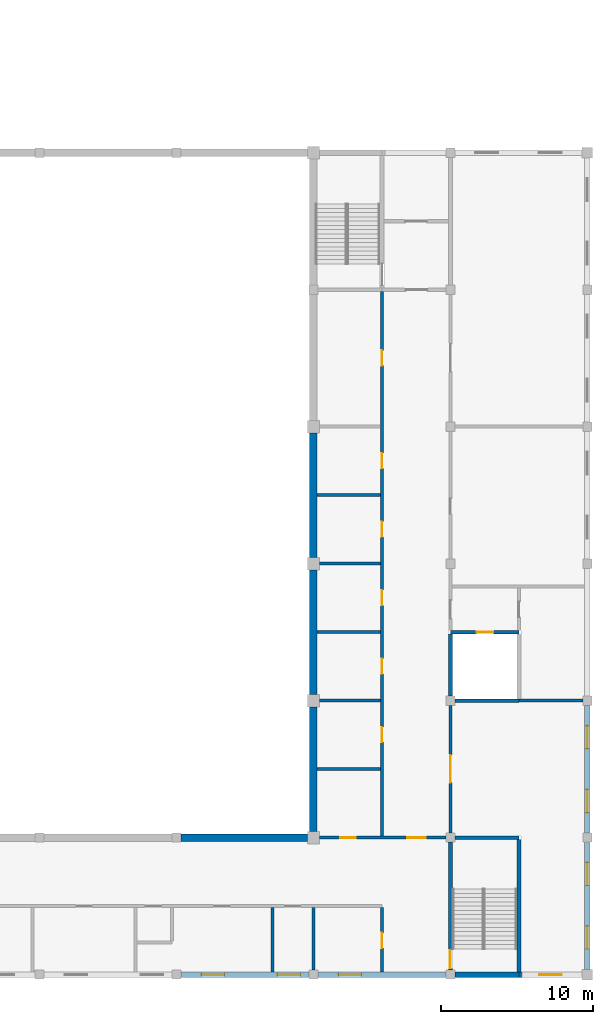
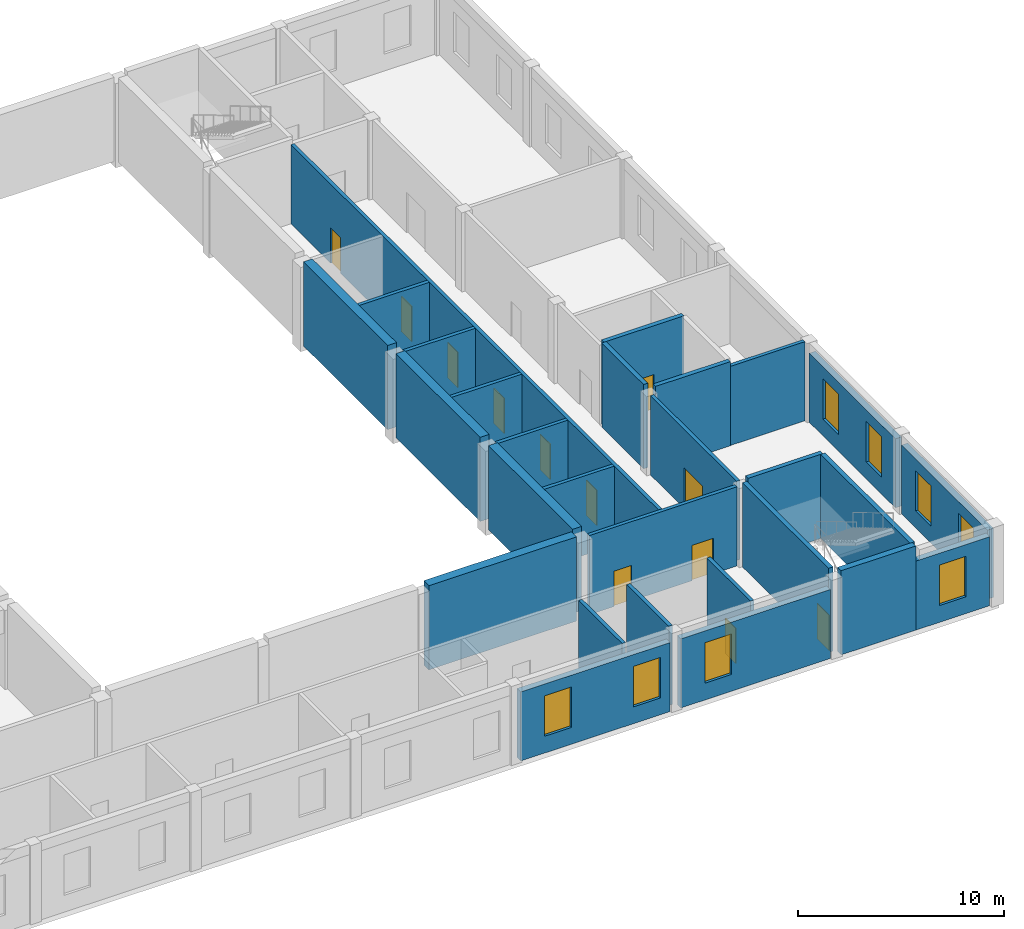
# One storey, part 22 of 30: 28 walls, 12 doors, 8 windows, 20 openings.
"""IFC4 building model written with IfcOpenShell, lengths in metres."""

from ifc_helpers import new_model, si_unit, direction, frame, frame_2d, origin, place, context, subcontext, project, spatial, rectangle, extrude, material, layer, layer_set, type_object, element, fill, save


model = new_model("IFC4")

# Units and contexts
model_context = context("Model", 3, precision=1e-05, world=origin(), true_north=direction((0.0, 1.0)))
body_context = subcontext(model_context, "Body", "Model", "MODEL_VIEW")
ifc_project = project(units=[si_unit("LENGTHUNIT", "METRE"), si_unit("AREAUNIT", "SQUARE_METRE"), si_unit("VOLUMEUNIT", "CUBIC_METRE"), si_unit("PLANEANGLEUNIT", "RADIAN"), si_unit("MASSUNIT", "GRAM", prefix="KILO")], contexts=[model_context])

# Site, building, storey
site_placement = place(None, origin())
site = spatial("IfcSite", under=ifc_project, at=site_placement, CompositionType="ELEMENT")
building_placement = place(site_placement, origin())
building = spatial("IfcBuilding", under=site, at=building_placement, Name="Firuza Court", CompositionType="ELEMENT")
storey_placement = place(building_placement, frame((0.0, 0.0, 9.0)))
storey = spatial("IfcBuildingStorey", under=building, at=storey_placement, Name="L01", CompositionType="ELEMENT", Elevation=9.0)

# Wall, openings, doors
ifc_material_1 = material(Name="Blockwork", Category="masonry")
ifc_layer_1 = layer(ifc_material_1, 0.199951171875)
ifc_layer_set_1 = layer_set([ifc_layer_1], Name="Blockwork")
wall_type_1 = type_object("IfcWallType", Name="HALL PARTITION 200", PredefinedType="STANDARD", material=ifc_layer_set_1)
wall_1_placement = place(storey_placement, frame((135.39990234375, 0.0, 0.0), z_axis=(0.0, 0.0, 1.0), x_axis=(1.0, 0.0, 0.0)))
wall_1 = element("IfcWall", 1, at=wall_1_placement, inside=storey, type_object=wall_type_1, Name="Wall L01.18", PredefinedType="STANDARD", context=body_context, shape_type="SweptSolid", body=[
    extrude(rectangle(XDim=8.300048828125, YDim=0.199951171875, at=frame_2d((4.14990234375, 0.0))), origin(), (0.0, 0.0, 1.0), 4.699951171875),
])
opening_1_placement = place(wall_1_placement, frame((5.77001953125, 0.0, 0.0)))
opening_1 = element("IfcOpeningElement", 2, at=opening_1_placement, cuts=wall_1, Name="Opening H056", PredefinedType="OPENING", context=body_context, shape_type="SweptSolid", body=[
    extrude(rectangle(XDim=1.199951171875, YDim=2.10009765625, at=frame_2d((0.60009765625, 1.050048828125))), frame((0.0, 0.11181640625, 0.0), z_axis=(0.0, -1.0, 0.0), x_axis=(1.0, 0.0, 0.0)), (0.0, 0.0, 1.0), 0.223876953125),
])
opening_2_placement = place(wall_1_placement, frame((1.3701171875, 0.0, 0.0)))
opening_2 = element("IfcOpeningElement", 3, at=opening_2_placement, cuts=wall_1, Name="Opening H075", PredefinedType="OPENING", context=body_context, shape_type="SweptSolid", body=[
    extrude(rectangle(XDim=1.0, YDim=2.10009765625, at=frame_2d((0.5, 1.050048828125))), frame((0.0, 0.11181640625, 0.0), z_axis=(0.0, -1.0, 0.0), x_axis=(1.0, 0.0, 0.0)), (0.0, 0.0, 1.0), 0.223876953125),
])
ifc_material_2 = material(Name="Timber", Category="wood")
door_type_1 = type_object("IfcDoorType", Name="HALL DOOR 1000X2100", OperationType="SINGLE_SWING_LEFT", PredefinedType="DOOR", material=ifc_material_2)
door_1_placement = place(opening_2_placement, origin())
door_1 = element("IfcDoor", 4, at=door_1_placement, inside=storey, type_object=door_type_1, Name="Door Dressing room 1", OperationType="SINGLE_SWING_LEFT", OverallHeight=2.10009765625, OverallWidth=1.0, PredefinedType="DOOR", context=body_context, shape_type="SweptSolid", body=[
    extrude(rectangle(XDim=1.0, YDim=2.10009765625, at=frame_2d((0.5, 1.050048828125))), frame((0.0, 0.02490234375, 0.0), z_axis=(0.0, -1.0, 0.0), x_axis=(1.0, 0.0, 0.0)), (0.0, 0.0, 1.0), 0.050048828125),
])
fill(opening_2, door_1)
ifc_material_3 = material(Name="Timber", Category="wood")
door_type_2 = type_object("IfcDoorType", Name="HALL DOOR 1200X2100", OperationType="SINGLE_SWING_LEFT", PredefinedType="DOOR", material=ifc_material_3)
door_2_placement = place(opening_1_placement, origin())
door_2 = element("IfcDoor", 5, at=door_2_placement, inside=storey, type_object=door_type_2, Name="Door Gallery to Backstage corridor", OperationType="SINGLE_SWING_RIGHT", OverallHeight=2.10009765625, OverallWidth=1.199951171875, PredefinedType="DOOR", context=body_context, shape_type="SweptSolid", body=[
    extrude(rectangle(XDim=1.199951171875, YDim=2.10009765625, at=frame_2d((0.60009765625, 1.050048828125))), frame((0.0, 0.02490234375, 0.0), z_axis=(0.0, -1.0, 0.0), x_axis=(1.0, 0.0, 0.0)), (0.0, 0.0, 1.0), 0.050048828125),
])
fill(opening_1, door_2)

# Walls
wall_2_placement = place(storey_placement, frame((135.25, 4.5, 0.0), z_axis=(0.0, 0.0, 1.0), x_axis=(1.0, 0.0, 0.0)))
element("IfcWall", 6, at=wall_2_placement, inside=storey, type_object=wall_type_1, Name="Wall L01.20", PredefinedType="STANDARD", context=body_context, shape_type="SweptSolid", body=[
    extrude(rectangle(XDim=4.14990234375, YDim=0.199951171875, at=frame_2d((2.074951171875, 0.0))), origin(), (0.0, 0.0, 1.0), 4.699951171875),
])
wall_3_placement = place(storey_placement, frame((135.39990234375, 9.0, 0.0), z_axis=(0.0, 0.0, 1.0), x_axis=(1.0, 0.0, 0.0)))
element("IfcWall", 7, at=wall_3_placement, inside=storey, type_object=wall_type_1, Name="Wall L01.21", PredefinedType="STANDARD", context=body_context, shape_type="SweptSolid", body=[
    extrude(rectangle(XDim=4.0, YDim=0.199951171875, at=frame_2d((2.0, 0.0))), origin(), (0.0, 0.0, 1.0), 4.699951171875),
])
wall_4_placement = place(storey_placement, frame((148.5, 9.0, 0.0), z_axis=(0.0, 0.0, 1.0), x_axis=(1.0, 0.0, 0.0)))
element("IfcWall", 8, at=wall_4_placement, inside=storey, type_object=wall_type_1, Name="Wall L01.23", PredefinedType="STANDARD", context=body_context, shape_type="SweptSolid", body=[
    extrude(rectangle(XDim=4.199951171875, YDim=0.199951171875, at=frame_2d((2.10009765625, 0.0))), origin(), (0.0, 0.0, 1.0), 4.699951171875),
])
wall_5_placement = place(storey_placement, frame((135.25, 13.5, 0.0), z_axis=(0.0, 0.0, 1.0), x_axis=(1.0, 0.0, 0.0)))
element("IfcWall", 9, at=wall_5_placement, inside=storey, type_object=wall_type_1, Name="Wall L01.24", PredefinedType="STANDARD", context=body_context, shape_type="SweptSolid", body=[
    extrude(rectangle(XDim=4.14990234375, YDim=0.199951171875, at=frame_2d((2.074951171875, 0.0))), origin(), (0.0, 0.0, 1.0), 4.699951171875),
])
wall_6_placement = place(storey_placement, frame((135.39990234375, 18.0, 0.0), z_axis=(0.0, 0.0, 1.0), x_axis=(1.0, 0.0, 0.0)))
element("IfcWall", 10, at=wall_6_placement, inside=storey, type_object=wall_type_1, Name="Wall L01.29", PredefinedType="STANDARD", context=body_context, shape_type="SweptSolid", body=[
    extrude(rectangle(XDim=4.0, YDim=0.199951171875, at=frame_2d((2.0, 0.0))), origin(), (0.0, 0.0, 1.0), 4.699951171875),
])
wall_7_placement = place(storey_placement, frame((135.25, 22.5, 0.0), z_axis=(0.0, 0.0, 1.0), x_axis=(1.0, 0.0, 0.0)))
element("IfcWall", 11, at=wall_7_placement, inside=storey, type_object=wall_type_1, Name="Wall L01.30", PredefinedType="STANDARD", context=body_context, shape_type="SweptSolid", body=[
    extrude(rectangle(XDim=4.14990234375, YDim=0.199951171875, at=frame_2d((2.074951171875, 0.0))), origin(), (0.0, 0.0, 1.0), 4.699951171875),
])
wall_8_placement = place(storey_placement, frame((132.300048828125, -8.824951171875, 0.0), z_axis=(0.0, 0.0, 1.0), x_axis=(0.0, 1.0, 0.0)))
element("IfcWall", 12, at=wall_8_placement, inside=storey, type_object=wall_type_1, Name="Wall L01.71", PredefinedType="STANDARD", context=body_context, shape_type="SweptSolid", body=[
    extrude(rectangle(XDim=4.224853515625, YDim=0.199951171875, at=frame_2d((2.1123046875, 0.0))), origin(), (0.0, 0.0, 1.0), 4.699951171875),
])
wall_9_placement = place(storey_placement, frame((135.0, -8.699951171875, 0.0), z_axis=(0.0, 0.0, 1.0), x_axis=(0.0, 1.0, 0.0)))
element("IfcWall", 13, at=wall_9_placement, inside=storey, type_object=wall_type_1, Name="Wall L01.72", PredefinedType="STANDARD", context=body_context, shape_type="SweptSolid", body=[
    extrude(rectangle(XDim=4.099853515625, YDim=0.199951171875, at=frame_2d((2.0498046875, 0.0))), origin(), (0.0, 0.0, 1.0), 4.699951171875),
])

# Wall, opening, door
wall_10_placement = place(storey_placement, frame((139.5, -8.824951171875, 0.0), z_axis=(0.0, 0.0, 1.0), x_axis=(0.0, 1.0, 0.0)))
wall_10 = element("IfcWall", 14, at=wall_10_placement, inside=storey, type_object=wall_type_1, Name="Wall L01.78", PredefinedType="STANDARD", context=body_context, shape_type="SweptSolid", body=[
    extrude(rectangle(XDim=4.224853515625, YDim=0.199951171875, at=frame_2d((2.1123046875, 0.0))), origin(), (0.0, 0.0, 1.0), 4.699951171875),
])
opening_3_placement = place(wall_10_placement, frame((1.570068359375, 0.0, 0.0)))
opening_3 = element("IfcOpeningElement", 15, at=opening_3_placement, cuts=wall_10, Name="Opening H068", PredefinedType="OPENING", context=body_context, shape_type="SweptSolid", body=[
    extrude(rectangle(XDim=1.0, YDim=2.10009765625, at=frame_2d((0.5, 1.050048828125))), frame((0.0, 0.11181640625, 0.0), z_axis=(0.0, -1.0, 0.0), x_axis=(1.0, 0.0, 0.0)), (0.0, 0.0, 1.0), 0.223876953125),
])
door_3_placement = place(opening_3_placement, origin())
door_3 = element("IfcDoor", 16, at=door_3_placement, inside=storey, type_object=door_type_1, Name="Door Music library", OperationType="SINGLE_SWING_LEFT", OverallHeight=2.10009765625, OverallWidth=1.0, PredefinedType="DOOR", context=body_context, shape_type="SweptSolid", body=[
    extrude(rectangle(XDim=1.0, YDim=2.10009765625, at=frame_2d((0.5, 1.050048828125))), frame((0.0, 0.02490234375, 0.0), z_axis=(0.0, -1.0, 0.0), x_axis=(1.0, 0.0, 0.0)), (0.0, 0.0, 1.0), 0.050048828125),
])
fill(opening_3, door_3)

# Wall, openings, doors
wall_11_placement = place(storey_placement, frame((139.5, 0.10009765625, 0.0), z_axis=(0.0, 0.0, 1.0), x_axis=(0.0, 1.0, 0.0)))
wall_11 = element("IfcWall", 17, at=wall_11_placement, inside=storey, type_object=wall_type_1, Name="Wall L01.79", PredefinedType="STANDARD", context=body_context, shape_type="SweptSolid", body=[
    extrude(rectangle(XDim=35.77490234375, YDim=0.199951171875, at=frame_2d((17.887451171875, 0.0))), origin(), (0.0, 0.0, 1.0), 4.699951171875),
])
opening_4_placement = place(wall_11_placement, frame((6.169921875, 0.0, 0.0)))
opening_4 = element("IfcOpeningElement", 18, at=opening_4_placement, cuts=wall_11, Name="Opening H076", PredefinedType="OPENING", context=body_context, shape_type="SweptSolid", body=[
    extrude(rectangle(XDim=1.0, YDim=2.10009765625, at=frame_2d((0.5, 1.050048828125))), frame((0.0, 0.11181640625, 0.0), z_axis=(0.0, -1.0, 0.0), x_axis=(1.0, 0.0, 0.0)), (0.0, 0.0, 1.0), 0.223876953125),
])
opening_5_placement = place(wall_11_placement, frame((10.669921875, 0.0, 0.0)))
opening_5 = element("IfcOpeningElement", 19, at=opening_5_placement, cuts=wall_11, Name="Opening H077", PredefinedType="OPENING", context=body_context, shape_type="SweptSolid", body=[
    extrude(rectangle(XDim=1.0, YDim=2.10009765625, at=frame_2d((0.5, 1.050048828125))), frame((0.0, 0.11181640625, 0.0), z_axis=(0.0, -1.0, 0.0), x_axis=(1.0, 0.0, 0.0)), (0.0, 0.0, 1.0), 0.223876953125),
])
opening_6_placement = place(wall_11_placement, frame((15.169921875, 0.0, 0.0)))
opening_6 = element("IfcOpeningElement", 20, at=opening_6_placement, cuts=wall_11, Name="Opening H078", PredefinedType="OPENING", context=body_context, shape_type="SweptSolid", body=[
    extrude(rectangle(XDim=1.0, YDim=2.10009765625, at=frame_2d((0.5, 1.050048828125))), frame((0.0, 0.11181640625, 0.0), z_axis=(0.0, -1.0, 0.0), x_axis=(1.0, 0.0, 0.0)), (0.0, 0.0, 1.0), 0.223876953125),
])
opening_7_placement = place(wall_11_placement, frame((19.669921875, 0.0, 0.0)))
opening_7 = element("IfcOpeningElement", 21, at=opening_7_placement, cuts=wall_11, Name="Opening H079", PredefinedType="OPENING", context=body_context, shape_type="SweptSolid", body=[
    extrude(rectangle(XDim=1.0, YDim=2.10009765625, at=frame_2d((0.5, 1.050048828125))), frame((0.0, 0.11181640625, 0.0), z_axis=(0.0, -1.0, 0.0), x_axis=(1.0, 0.0, 0.0)), (0.0, 0.0, 1.0), 0.223876953125),
])
opening_8_placement = place(wall_11_placement, frame((24.169921875, 0.0, 0.0)))
opening_8 = element("IfcOpeningElement", 22, at=opening_8_placement, cuts=wall_11, Name="Opening H080", PredefinedType="OPENING", context=body_context, shape_type="SweptSolid", body=[
    extrude(rectangle(XDim=1.0, YDim=2.10009765625, at=frame_2d((0.5, 1.050048828125))), frame((0.0, 0.11181640625, 0.0), z_axis=(0.0, -1.0, 0.0), x_axis=(1.0, 0.0, 0.0)), (0.0, 0.0, 1.0), 0.223876953125),
])
opening_9_placement = place(wall_11_placement, frame((30.919921875, 0.0, 0.0)))
opening_9 = element("IfcOpeningElement", 23, at=opening_9_placement, cuts=wall_11, Name="Opening H081", PredefinedType="OPENING", context=body_context, shape_type="SweptSolid", body=[
    extrude(rectangle(XDim=1.0, YDim=2.10009765625, at=frame_2d((0.5, 1.050048828125))), frame((0.0, 0.11181640625, 0.0), z_axis=(0.0, -1.0, 0.0), x_axis=(1.0, 0.0, 0.0)), (0.0, 0.0, 1.0), 0.223876953125),
])
door_4_placement = place(opening_4_placement, origin())
door_4 = element("IfcDoor", 24, at=door_4_placement, inside=storey, type_object=door_type_1, Name="Door Dressing room 2", OperationType="SINGLE_SWING_RIGHT", OverallHeight=2.10009765625, OverallWidth=1.0, PredefinedType="DOOR", context=body_context, shape_type="SweptSolid", body=[
    extrude(rectangle(XDim=1.0, YDim=2.10009765625, at=frame_2d((0.5, 1.050048828125))), frame((0.0, 0.02490234375, 0.0), z_axis=(0.0, -1.0, 0.0), x_axis=(1.0, 0.0, 0.0)), (0.0, 0.0, 1.0), 0.050048828125),
])
fill(opening_4, door_4)
door_5_placement = place(opening_5_placement, origin())
door_5 = element("IfcDoor", 25, at=door_5_placement, inside=storey, type_object=door_type_1, Name="Door Dressing room 3", OperationType="SINGLE_SWING_RIGHT", OverallHeight=2.10009765625, OverallWidth=1.0, PredefinedType="DOOR", context=body_context, shape_type="SweptSolid", body=[
    extrude(rectangle(XDim=1.0, YDim=2.10009765625, at=frame_2d((0.5, 1.050048828125))), frame((0.0, 0.02490234375, 0.0), z_axis=(0.0, -1.0, 0.0), x_axis=(1.0, 0.0, 0.0)), (0.0, 0.0, 1.0), 0.050048828125),
])
fill(opening_5, door_5)
door_6_placement = place(opening_6_placement, origin())
door_6 = element("IfcDoor", 26, at=door_6_placement, inside=storey, type_object=door_type_1, Name="Door Dressing room 4", OperationType="SINGLE_SWING_RIGHT", OverallHeight=2.10009765625, OverallWidth=1.0, PredefinedType="DOOR", context=body_context, shape_type="SweptSolid", body=[
    extrude(rectangle(XDim=1.0, YDim=2.10009765625, at=frame_2d((0.5, 1.050048828125))), frame((0.0, 0.02490234375, 0.0), z_axis=(0.0, -1.0, 0.0), x_axis=(1.0, 0.0, 0.0)), (0.0, 0.0, 1.0), 0.050048828125),
])
fill(opening_6, door_6)
door_7_placement = place(opening_7_placement, origin())
door_7 = element("IfcDoor", 27, at=door_7_placement, inside=storey, type_object=door_type_1, Name="Door Dressing room 5", OperationType="SINGLE_SWING_RIGHT", OverallHeight=2.10009765625, OverallWidth=1.0, PredefinedType="DOOR", context=body_context, shape_type="SweptSolid", body=[
    extrude(rectangle(XDim=1.0, YDim=2.10009765625, at=frame_2d((0.5, 1.050048828125))), frame((0.0, 0.02490234375, 0.0), z_axis=(0.0, -1.0, 0.0), x_axis=(1.0, 0.0, 0.0)), (0.0, 0.0, 1.0), 0.050048828125),
])
fill(opening_7, door_7)
door_8_placement = place(opening_8_placement, origin())
door_8 = element("IfcDoor", 28, at=door_8_placement, inside=storey, type_object=door_type_1, Name="Door Dressing room 6", OperationType="SINGLE_SWING_RIGHT", OverallHeight=2.10009765625, OverallWidth=1.0, PredefinedType="DOOR", context=body_context, shape_type="SweptSolid", body=[
    extrude(rectangle(XDim=1.0, YDim=2.10009765625, at=frame_2d((0.5, 1.050048828125))), frame((0.0, 0.02490234375, 0.0), z_axis=(0.0, -1.0, 0.0), x_axis=(1.0, 0.0, 0.0)), (0.0, 0.0, 1.0), 0.050048828125),
])
fill(opening_8, door_8)
door_9_placement = place(opening_9_placement, origin())
door_9 = element("IfcDoor", 29, at=door_9_placement, inside=storey, type_object=door_type_1, Name="Door Wardrobe store", OperationType="SINGLE_SWING_LEFT", OverallHeight=2.10009765625, OverallWidth=1.0, PredefinedType="DOOR", context=body_context, shape_type="SweptSolid", body=[
    extrude(rectangle(XDim=1.0, YDim=2.10009765625, at=frame_2d((0.5, 1.050048828125))), frame((0.0, 0.02490234375, 0.0), z_axis=(0.0, -1.0, 0.0), x_axis=(1.0, 0.0, 0.0)), (0.0, 0.0, 1.0), 0.050048828125),
])
fill(opening_9, door_9)

# Wall, opening, door
wall_12_placement = place(storey_placement, frame((144.0, 0.300048828125, 0.0), z_axis=(0.0, 0.0, 1.0), x_axis=(0.0, 1.0, 0.0)))
wall_12 = element("IfcWall", 30, at=wall_12_placement, inside=storey, type_object=wall_type_1, Name="Wall L01.82", PredefinedType="STANDARD", context=body_context, shape_type="SweptSolid", body=[
    extrude(rectangle(XDim=8.39990234375, YDim=0.199951171875, at=frame_2d((4.199951171875, 0.0))), origin(), (0.0, 0.0, 1.0), 4.699951171875),
])
opening_10_placement = place(wall_12_placement, frame((3.320068359375, 0.0, 0.0)))
opening_10 = element("IfcOpeningElement", 31, at=opening_10_placement, cuts=wall_12, Name="Opening H082", PredefinedType="OPENING", context=body_context, shape_type="SweptSolid", body=[
    extrude(rectangle(XDim=1.800048828125, YDim=2.39990234375, at=frame_2d((0.89990234375, 1.199951171875))), frame((0.0, 0.11181640625, 0.0), z_axis=(0.0, -1.0, 0.0), x_axis=(1.0, 0.0, 0.0)), (0.0, 0.0, 1.0), 0.223876953125),
])
ifc_material_4 = material(Name="Timber", Category="wood")
door_type_3 = type_object("IfcDoorType", Name="HALL DOOR 1800X2400", OperationType="DOUBLE_DOOR_SINGLE_SWING", PredefinedType="DOOR", material=ifc_material_4)
door_10_placement = place(opening_10_placement, origin())
door_10 = element("IfcDoor", 32, at=door_10_placement, inside=storey, type_object=door_type_3, Name="Door Rehearsal room 1", OperationType="DOUBLE_DOOR_SINGLE_SWING", OverallHeight=2.39990234375, OverallWidth=1.800048828125, PredefinedType="DOOR", context=body_context, shape_type="SweptSolid", body=[
    extrude(rectangle(XDim=1.800048828125, YDim=2.39990234375, at=frame_2d((0.89990234375, 1.199951171875))), frame((0.0, 0.02490234375, 0.0), z_axis=(0.0, -1.0, 0.0), x_axis=(1.0, 0.0, 0.0)), (0.0, 0.0, 1.0), 0.050048828125),
])
fill(opening_10, door_10)

# Walls
ifc_material_5 = material(Name="Concrete C40/50", Category="concrete")
ifc_layer_2 = layer(ifc_material_5, 0.25)
ifc_layer_set_2 = layer_set([ifc_layer_2], Name="Concrete C40/50")
wall_type_2 = type_object("IfcWallType", Name="HALL RC WALL 250", PredefinedType="STANDARD", material=ifc_layer_set_2)
for number, where, z_axis, x_axis, name in (
    (33, (144.300048828125, 0.0, 0.0), (0.0, 0.0, 1.0), (1.0, 0.0, 0.0), "Wall L01.19"),
    (34, (144.300048828125, 9.0, 0.0), (0.0, 0.0, 1.0), (1.0, 0.0, 0.0), "Wall L01.22"),
):
    element("IfcWall", number, at=place(storey_placement, frame(where, z_axis=z_axis, x_axis=x_axis)), inside=storey, type_object=wall_type_2, Name=name, PredefinedType="STANDARD", context=body_context, shape_type="SweptSolid", body=[
        extrude(rectangle(XDim=4.199951171875, YDim=0.25, at=frame_2d((2.10009765625, 0.0))), origin(), (0.0, 0.0, 1.0), 5.0),
    ])

# Wall, opening, door
wall_13_placement = place(storey_placement, frame((144.0, 13.5, 0.0), z_axis=(0.0, 0.0, 1.0), x_axis=(1.0, 0.0, 0.0)))
wall_13 = element("IfcWall", 35, at=wall_13_placement, inside=storey, type_object=wall_type_2, Name="Wall L01.25", PredefinedType="STANDARD", context=body_context, shape_type="SweptSolid", body=[
    extrude(rectangle(XDim=4.5, YDim=0.25, at=frame_2d((2.25, 0.0))), origin(), (0.0, 0.0, 1.0), 5.0),
])
opening_11_placement = place(wall_13_placement, frame((1.719970703125, 0.0, 0.0)))
opening_11 = element("IfcOpeningElement", 36, at=opening_11_placement, cuts=wall_13, Name="Opening LD", PredefinedType="OPENING", context=body_context, shape_type="SweptSolid", body=[
    extrude(rectangle(XDim=1.10009765625, YDim=2.10009765625, at=frame_2d((0.550048828125, 1.050048828125))), frame((0.0, 0.136962890625, 0.0), z_axis=(0.0, -1.0, 0.0), x_axis=(1.0, 0.0, 0.0)), (0.0, 0.0, 1.0), 0.27392578125),
])
ifc_material_6 = material(Name="Stainless steel", Category="steel")
door_type_4 = type_object("IfcDoorType", Name="HALL LANDING DOOR 1100X2100", OperationType="SLIDING_TO_LEFT", PredefinedType="DOOR", material=ifc_material_6)
door_11_placement = place(opening_11_placement, origin())
door_11 = element("IfcDoor", 37, at=door_11_placement, inside=storey, type_object=door_type_4, Name="Landing door GL1 L01", OperationType="SLIDING_TO_LEFT", OverallHeight=2.10009765625, OverallWidth=1.10009765625, PredefinedType="DOOR", context=body_context, shape_type="SweptSolid", body=[
    extrude(rectangle(XDim=1.10009765625, YDim=2.10009765625, at=frame_2d((0.550048828125, 1.050048828125))), frame((0.0, 0.02490234375, 0.0), z_axis=(0.0, -1.0, 0.0), x_axis=(1.0, 0.0, 0.0)), (0.0, 0.0, 1.0), 0.050048828125),
])
fill(opening_11, door_11)

wall_14_placement = place(storey_placement, frame((144.0, -8.699951171875, 0.0), z_axis=(0.0, 0.0, 1.0), x_axis=(0.0, 1.0, 0.0)))
wall_14 = element("IfcWall", 38, at=wall_14_placement, inside=storey, type_object=wall_type_2, Name="Wall L01.81", PredefinedType="STANDARD", context=body_context, shape_type="SweptSolid", body=[
    extrude(rectangle(XDim=8.39990234375, YDim=0.25, at=frame_2d((4.199951171875, 0.0))), origin(), (0.0, 0.0, 1.0), 5.0),
])
opening_12_placement = place(wall_14_placement, frame((0.1201171875, 0.0, 0.0)))
opening_12 = element("IfcOpeningElement", 39, at=opening_12_placement, cuts=wall_14, Name="Opening H064", PredefinedType="OPENING", context=body_context, shape_type="SweptSolid", body=[
    extrude(rectangle(XDim=1.199951171875, YDim=2.10009765625, at=frame_2d((0.60009765625, 1.050048828125))), frame((0.0, 0.136962890625, 0.0), z_axis=(0.0, -1.0, 0.0), x_axis=(1.0, 0.0, 0.0)), (0.0, 0.0, 1.0), 0.27392578125),
])
door_12_placement = place(opening_12_placement, frame((1.199951171875, 0.0, 0.0), z_axis=(0.0, 0.0, 1.0), x_axis=(-1.0, 0.0, 0.0)))
door_12 = element("IfcDoor", 40, at=door_12_placement, inside=storey, type_object=door_type_2, Name="Stair H2 door", OperationType="SINGLE_SWING_RIGHT", OverallHeight=2.10009765625, OverallWidth=1.199951171875, PredefinedType="DOOR", context=body_context, shape_type="SweptSolid", body=[
    extrude(rectangle(XDim=1.199951171875, YDim=2.10009765625, at=frame_2d((0.60009765625, 1.050048828125))), frame((0.0, 0.02490234375, 0.0), z_axis=(0.0, -1.0, 0.0), x_axis=(1.0, 0.0, 0.0)), (0.0, 0.0, 1.0), 0.050048828125),
])
fill(opening_12, door_12)

# Walls
wall_15_placement = place(storey_placement, frame((144.0, 9.300048828125, 0.0), z_axis=(0.0, 0.0, 1.0), x_axis=(0.0, 1.0, 0.0)))
element("IfcWall", 41, at=wall_15_placement, inside=storey, type_object=wall_type_2, Name="Wall L01.83", PredefinedType="STANDARD", context=body_context, shape_type="SweptSolid", body=[
    extrude(rectangle(XDim=4.074951171875, YDim=0.25, at=frame_2d((2.03759765625, 0.0))), origin(), (0.0, 0.0, 1.0), 5.0),
])
wall_16_placement = place(storey_placement, frame((148.5, -8.824951171875, 0.0), z_axis=(0.0, 0.0, 1.0), x_axis=(0.0, 1.0, 0.0)))
element("IfcWall", 42, at=wall_16_placement, inside=storey, type_object=wall_type_2, Name="Wall L01.88", PredefinedType="STANDARD", context=body_context, shape_type="SweptSolid", body=[
    extrude(rectangle(XDim=8.699951171875, YDim=0.25, at=frame_2d((4.35009765625, 0.0))), origin(), (0.0, 0.0, 1.0), 5.0),
])
ifc_layer_3 = layer(ifc_material_5, 0.5)
ifc_layer_set_3 = layer_set([ifc_layer_3], Name="Concrete C40/50")
wall_type_3 = type_object("IfcWallType", Name="HALL RC WALL 500", PredefinedType="STANDARD", material=ifc_layer_set_3)
wall_17_placement = place(storey_placement, frame((126.300048828125, 0.0, 0.0), z_axis=(0.0, 0.0, 1.0), x_axis=(1.0, 0.0, 0.0)))
element("IfcWall", 43, at=wall_17_placement, inside=storey, type_object=wall_type_3, Name="Wall L01.17", PredefinedType="STANDARD", context=body_context, shape_type="SweptSolid", body=[
    extrude(rectangle(XDim=8.300048828125, YDim=0.5, at=frame_2d((4.14990234375, 0.0))), origin(), (0.0, 0.0, 1.0), 5.0),
])
for number, where, z_axis, x_axis, name in (
    (44, (135.0, 0.39990234375, 0.0), (0.0, 0.0, 1.0), (0.0, 1.0, 0.0), "Wall L01.73"),
    (45, (135.0, 9.39990234375, 0.0), (0.0, 0.0, 1.0), (0.0, 1.0, 0.0), "Wall L01.74"),
    (46, (135.0, 18.39990234375, 0.0), (0.0, 0.0, 1.0), (0.0, 1.0, 0.0), "Wall L01.75"),
):
    element("IfcWall", number, at=place(storey_placement, frame(where, z_axis=z_axis, x_axis=x_axis)), inside=storey, type_object=wall_type_3, Name=name, PredefinedType="STANDARD", context=body_context, shape_type="SweptSolid", body=[
        extrude(rectangle(XDim=8.2001953125, YDim=0.5, at=frame_2d((4.10009765625, 0.0))), origin(), (0.0, 0.0, 1.0), 5.0),
    ])

# Wall, openings, windows
ifc_material_7 = material(Name="Concrete C30/37", Category="concrete")
ifc_layer_4 = layer(ifc_material_7, 0.300048828125)
ifc_material_8 = material(Name="Ceramic tile", Category="ceramic")
ifc_layer_5 = layer(ifc_material_8, 0.050048828125)
ifc_layer_set_4 = layer_set([ifc_layer_4, ifc_layer_5], Name="Concrete C30/37")
wall_type_4 = type_object("IfcWallType", Name="HALL TILE CLAD WALL 350", PredefinedType="STANDARD", material=ifc_layer_set_4)
wall_18_placement = place(storey_placement, frame((126.300048828125, -9.0, 0.0), z_axis=(0.0, 0.0, 1.0), x_axis=(1.0, 0.0, 0.0)))
wall_18 = element("IfcWall", 47, at=wall_18_placement, inside=storey, type_object=wall_type_4, Name="Wall L01.6", PredefinedType="STANDARD", context=body_context, shape_type="SweptSolid", body=[
    extrude(rectangle(XDim=8.39990234375, YDim=0.35009765625, at=frame_2d((4.199951171875, 0.0))), origin(), (0.0, 0.0, 1.0), 4.10009765625),
])
opening_13_placement = place(wall_18_placement, frame((1.35009765625, 0.0, 1.0)))
opening_13 = element("IfcOpeningElement", 48, at=opening_13_placement, cuts=wall_18, Name="Opening HW-1", PredefinedType="OPENING", context=body_context, shape_type="SweptSolid", body=[
    extrude(rectangle(XDim=1.5, YDim=2.39990234375, at=frame_2d((0.75, 1.199951171875))), frame((0.0, 0.18701171875, 0.0), z_axis=(0.0, -1.0, 0.0), x_axis=(1.0, 0.0, 0.0)), (0.0, 0.0, 1.0), 0.3740234375),
])
opening_14_placement = place(wall_18_placement, frame((6.35009765625, 0.0, 1.0)))
opening_14 = element("IfcOpeningElement", 49, at=opening_14_placement, cuts=wall_18, Name="Opening HW-1", PredefinedType="OPENING", context=body_context, shape_type="SweptSolid", body=[
    extrude(rectangle(XDim=1.5, YDim=2.39990234375, at=frame_2d((0.75, 1.199951171875))), frame((0.0, 0.18701171875, 0.0), z_axis=(0.0, -1.0, 0.0), x_axis=(1.0, 0.0, 0.0)), (0.0, 0.0, 1.0), 0.3740234375),
])
ifc_material_9 = material(Name="Aluminium", Category="aluminium")
window_type = type_object("IfcWindowType", Name="HALL WINDOW 1500X2400", PartitioningType="SINGLE_PANEL", PredefinedType="WINDOW", material=ifc_material_9)
window_1_placement = place(opening_13_placement, origin())
window_1 = element("IfcWindow", 50, at=window_1_placement, inside=storey, type_object=window_type, Name="Window L01.25", OverallHeight=2.39990234375, OverallWidth=1.5, PartitioningType="SINGLE_PANEL", PredefinedType="WINDOW", context=body_context, shape_type="SweptSolid", body=[
    extrude(rectangle(XDim=1.5, YDim=2.39990234375, at=frame_2d((0.75, 1.199951171875))), frame((0.0, 0.030029296875, 0.0), z_axis=(0.0, -1.0, 0.0), x_axis=(1.0, 0.0, 0.0)), (0.0, 0.0, 1.0), 0.06005859375),
])
fill(opening_13, window_1)
window_2_placement = place(opening_14_placement, origin())
window_2 = element("IfcWindow", 51, at=window_2_placement, inside=storey, type_object=window_type, Name="Window L01.26", OverallHeight=2.39990234375, OverallWidth=1.5, PartitioningType="SINGLE_PANEL", PredefinedType="WINDOW", context=body_context, shape_type="SweptSolid", body=[
    extrude(rectangle(XDim=1.5, YDim=2.39990234375, at=frame_2d((0.75, 1.199951171875))), frame((0.0, 0.030029296875, 0.0), z_axis=(0.0, -1.0, 0.0), x_axis=(1.0, 0.0, 0.0)), (0.0, 0.0, 1.0), 0.06005859375),
])
fill(opening_14, window_2)

# Wall, opening, window
wall_19_placement = place(storey_placement, frame((135.300048828125, -9.0, 0.0), z_axis=(0.0, 0.0, 1.0), x_axis=(1.0, 0.0, 0.0)))
wall_19 = element("IfcWall", 52, at=wall_19_placement, inside=storey, type_object=wall_type_4, Name="Wall L01.7", PredefinedType="STANDARD", context=body_context, shape_type="SweptSolid", body=[
    extrude(rectangle(XDim=8.39990234375, YDim=0.35009765625, at=frame_2d((4.199951171875, 0.0))), origin(), (0.0, 0.0, 1.0), 4.10009765625),
])
opening_15_placement = place(wall_19_placement, frame((1.35009765625, 0.0, 1.0)))
opening_15 = element("IfcOpeningElement", 53, at=opening_15_placement, cuts=wall_19, Name="Opening HW-1", PredefinedType="OPENING", context=body_context, shape_type="SweptSolid", body=[
    extrude(rectangle(XDim=1.5, YDim=2.39990234375, at=frame_2d((0.75, 1.199951171875))), frame((0.0, 0.18701171875, 0.0), z_axis=(0.0, -1.0, 0.0), x_axis=(1.0, 0.0, 0.0)), (0.0, 0.0, 1.0), 0.3740234375),
])
window_3_placement = place(opening_15_placement, origin())
window_3 = element("IfcWindow", 54, at=window_3_placement, inside=storey, type_object=window_type, Name="Window L01.27", OverallHeight=2.39990234375, OverallWidth=1.5, PartitioningType="SINGLE_PANEL", PredefinedType="WINDOW", context=body_context, shape_type="SweptSolid", body=[
    extrude(rectangle(XDim=1.5, YDim=2.39990234375, at=frame_2d((0.75, 1.199951171875))), frame((0.0, 0.030029296875, 0.0), z_axis=(0.0, -1.0, 0.0), x_axis=(1.0, 0.0, 0.0)), (0.0, 0.0, 1.0), 0.06005859375),
])
fill(opening_15, window_3)

# Wall
wall_20_placement = place(storey_placement, frame((144.300048828125, -9.0, 0.0), z_axis=(0.0, 0.0, 1.0), x_axis=(1.0, 0.0, 0.0)))
element("IfcWall", 55, at=wall_20_placement, inside=storey, type_object=wall_type_4, Name="Wall L01.8", PredefinedType="STANDARD", context=body_context, shape_type="SweptSolid", body=[
    extrude(rectangle(XDim=4.199951171875, YDim=0.35009765625, at=frame_2d((2.10009765625, 0.0))), origin(), (0.0, 0.0, 1.0), 5.0),
])

# Wall, opening, window
wall_21_placement = place(storey_placement, frame((148.5, -9.0, 0.0), z_axis=(0.0, 0.0, 1.0), x_axis=(1.0, 0.0, 0.0)))
wall_21 = element("IfcWall", 56, at=wall_21_placement, inside=storey, type_object=wall_type_4, Name="Wall L01.9", PredefinedType="STANDARD", context=body_context, shape_type="SweptSolid", body=[
    extrude(rectangle(XDim=4.14990234375, YDim=0.35009765625, at=frame_2d((2.074951171875, 0.0))), origin(), (0.0, 0.0, 1.0), 4.10009765625),
])
opening_16_placement = place(wall_21_placement, frame((1.324951171875, 0.0, 1.0)))
opening_16 = element("IfcOpeningElement", 57, at=opening_16_placement, cuts=wall_21, Name="Opening HW-1", PredefinedType="OPENING", context=body_context, shape_type="SweptSolid", body=[
    extrude(rectangle(XDim=1.5, YDim=2.39990234375, at=frame_2d((0.75, 1.199951171875))), frame((0.0, 0.18701171875, 0.0), z_axis=(0.0, -1.0, 0.0), x_axis=(1.0, 0.0, 0.0)), (0.0, 0.0, 1.0), 0.3740234375),
])
window_4_placement = place(opening_16_placement, origin())
window_4 = element("IfcWindow", 58, at=window_4_placement, inside=storey, type_object=window_type, Name="Window L01.28", OverallHeight=2.39990234375, OverallWidth=1.5, PartitioningType="SINGLE_PANEL", PredefinedType="WINDOW", context=body_context, shape_type="SweptSolid", body=[
    extrude(rectangle(XDim=1.5, YDim=2.39990234375, at=frame_2d((0.75, 1.199951171875))), frame((0.0, 0.030029296875, 0.0), z_axis=(0.0, -1.0, 0.0), x_axis=(1.0, 0.0, 0.0)), (0.0, 0.0, 1.0), 0.06005859375),
])
fill(opening_16, window_4)

# Wall, openings, windows
wall_22_placement = place(storey_placement, frame((153.0, -8.64990234375, 0.0), z_axis=(0.0, 0.0, 1.0), x_axis=(0.0, 1.0, 0.0)))
wall_22 = element("IfcWall", 59, at=wall_22_placement, inside=storey, type_object=wall_type_4, Name="Wall L01.91", PredefinedType="STANDARD", context=body_context, shape_type="SweptSolid", body=[
    extrude(rectangle(XDim=8.349853515625, YDim=0.35009765625, at=frame_2d((4.1748046875, 0.0))), origin(), (0.0, 0.0, 1.0), 4.10009765625),
])
opening_17_placement = place(wall_22_placement, frame((1.33740234375, 0.0, 1.0)))
opening_17 = element("IfcOpeningElement", 60, at=opening_17_placement, cuts=wall_22, Name="Opening HW-1", PredefinedType="OPENING", context=body_context, shape_type="SweptSolid", body=[
    extrude(rectangle(XDim=1.5, YDim=2.39990234375, at=frame_2d((0.75, 1.199951171875))), frame((0.0, 0.18701171875, 0.0), z_axis=(0.0, -1.0, 0.0), x_axis=(1.0, 0.0, 0.0)), (0.0, 0.0, 1.0), 0.3740234375),
])
opening_18_placement = place(wall_22_placement, frame((5.512451171875, 0.0, 1.0)))
opening_18 = element("IfcOpeningElement", 61, at=opening_18_placement, cuts=wall_22, Name="Opening HW-1", PredefinedType="OPENING", context=body_context, shape_type="SweptSolid", body=[
    extrude(rectangle(XDim=1.5, YDim=2.39990234375, at=frame_2d((0.75, 1.199951171875))), frame((0.0, 0.18701171875, 0.0), z_axis=(0.0, -1.0, 0.0), x_axis=(1.0, 0.0, 0.0)), (0.0, 0.0, 1.0), 0.3740234375),
])
window_5_placement = place(opening_17_placement, origin())
window_5 = element("IfcWindow", 62, at=window_5_placement, inside=storey, type_object=window_type, Name="Window L01.35", OverallHeight=2.39990234375, OverallWidth=1.5, PartitioningType="SINGLE_PANEL", PredefinedType="WINDOW", context=body_context, shape_type="SweptSolid", body=[
    extrude(rectangle(XDim=1.5, YDim=2.39990234375, at=frame_2d((0.75, 1.199951171875))), frame((0.0, 0.030029296875, 0.0), z_axis=(0.0, -1.0, 0.0), x_axis=(1.0, 0.0, 0.0)), (0.0, 0.0, 1.0), 0.06005859375),
])
fill(opening_17, window_5)
window_6_placement = place(opening_18_placement, origin())
window_6 = element("IfcWindow", 63, at=window_6_placement, inside=storey, type_object=window_type, Name="Window L01.36", OverallHeight=2.39990234375, OverallWidth=1.5, PartitioningType="SINGLE_PANEL", PredefinedType="WINDOW", context=body_context, shape_type="SweptSolid", body=[
    extrude(rectangle(XDim=1.5, YDim=2.39990234375, at=frame_2d((0.75, 1.199951171875))), frame((0.0, 0.030029296875, 0.0), z_axis=(0.0, -1.0, 0.0), x_axis=(1.0, 0.0, 0.0)), (0.0, 0.0, 1.0), 0.06005859375),
])
fill(opening_18, window_6)

wall_23_placement = place(storey_placement, frame((153.0, 0.300048828125, 0.0), z_axis=(0.0, 0.0, 1.0), x_axis=(0.0, 1.0, 0.0)))
wall_23 = element("IfcWall", 64, at=wall_23_placement, inside=storey, type_object=wall_type_4, Name="Wall L01.92", PredefinedType="STANDARD", context=body_context, shape_type="SweptSolid", body=[
    extrude(rectangle(XDim=8.39990234375, YDim=0.35009765625, at=frame_2d((4.199951171875, 0.0))), origin(), (0.0, 0.0, 1.0), 4.10009765625),
])
opening_19_placement = place(wall_23_placement, frame((1.35009765625, 0.0, 1.0)))
opening_19 = element("IfcOpeningElement", 65, at=opening_19_placement, cuts=wall_23, Name="Opening HW-1", PredefinedType="OPENING", context=body_context, shape_type="SweptSolid", body=[
    extrude(rectangle(XDim=1.5, YDim=2.39990234375, at=frame_2d((0.75, 1.199951171875))), frame((0.0, 0.18701171875, 0.0), z_axis=(0.0, -1.0, 0.0), x_axis=(1.0, 0.0, 0.0)), (0.0, 0.0, 1.0), 0.3740234375),
])
opening_20_placement = place(wall_23_placement, frame((5.550048828125, 0.0, 1.0)))
opening_20 = element("IfcOpeningElement", 66, at=opening_20_placement, cuts=wall_23, Name="Opening HW-1", PredefinedType="OPENING", context=body_context, shape_type="SweptSolid", body=[
    extrude(rectangle(XDim=1.5, YDim=2.39990234375, at=frame_2d((0.75, 1.199951171875))), frame((0.0, 0.18701171875, 0.0), z_axis=(0.0, -1.0, 0.0), x_axis=(1.0, 0.0, 0.0)), (0.0, 0.0, 1.0), 0.3740234375),
])
window_7_placement = place(opening_19_placement, origin())
window_7 = element("IfcWindow", 67, at=window_7_placement, inside=storey, type_object=window_type, Name="Window L01.37", OverallHeight=2.39990234375, OverallWidth=1.5, PartitioningType="SINGLE_PANEL", PredefinedType="WINDOW", context=body_context, shape_type="SweptSolid", body=[
    extrude(rectangle(XDim=1.5, YDim=2.39990234375, at=frame_2d((0.75, 1.199951171875))), frame((0.0, 0.030029296875, 0.0), z_axis=(0.0, -1.0, 0.0), x_axis=(1.0, 0.0, 0.0)), (0.0, 0.0, 1.0), 0.06005859375),
])
fill(opening_19, window_7)
window_8_placement = place(opening_20_placement, origin())
window_8 = element("IfcWindow", 68, at=window_8_placement, inside=storey, type_object=window_type, Name="Window L01.38", OverallHeight=2.39990234375, OverallWidth=1.5, PartitioningType="SINGLE_PANEL", PredefinedType="WINDOW", context=body_context, shape_type="SweptSolid", body=[
    extrude(rectangle(XDim=1.5, YDim=2.39990234375, at=frame_2d((0.75, 1.199951171875))), frame((0.0, 0.030029296875, 0.0), z_axis=(0.0, -1.0, 0.0), x_axis=(1.0, 0.0, 0.0)), (0.0, 0.0, 1.0), 0.06005859375),
])
fill(opening_20, window_8)

save(model, "model.ifc")
